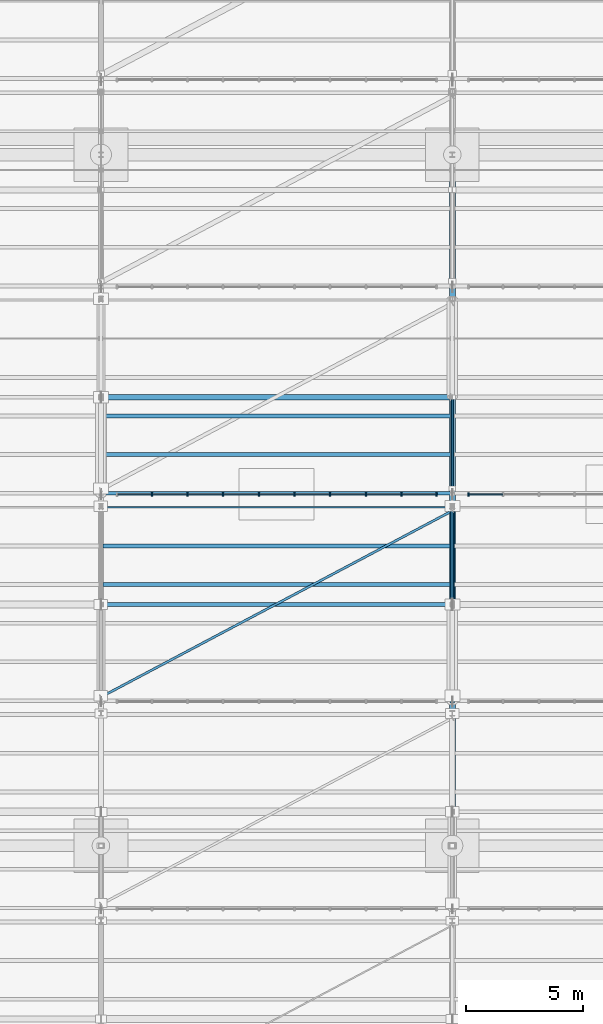
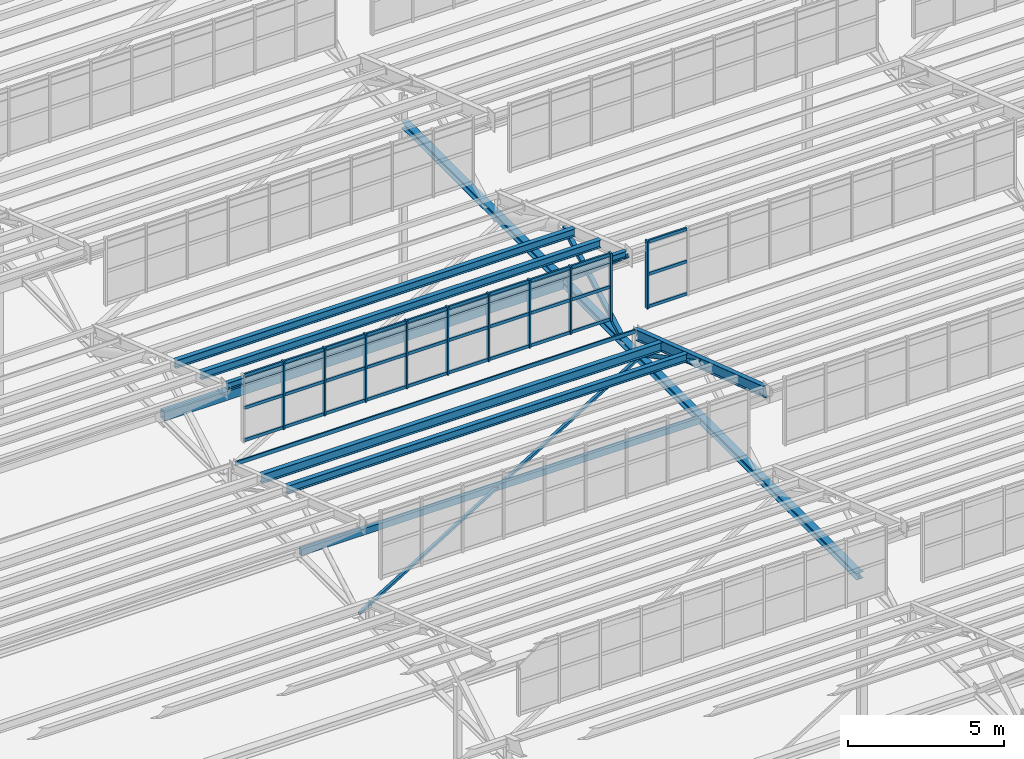
# One storey, part 63 of 285: 46 members, 8 beams, 2 elements without a shape of their own.
"""IFC4 building model written with IfcOpenShell, lengths in metres."""

from ifc_helpers import new_model, si_unit, direction, frame, origin, origin_2d, place, context, subcontext, project, spatial, rectangle, hollow_rectangle, hollow_circle, i_section, extrude, material, material_profile, profile_set, type_object, element, aggregate, save


model = new_model("IFC4")

# Units and contexts
model_context = context("Model", 3, precision=1e-05, world=origin(), true_north=direction((0.0, 1.0)))
body_context = subcontext(model_context, "Body", "Model", "MODEL_VIEW")
ifc_project = project(units=[si_unit("LENGTHUNIT", "METRE"), si_unit("AREAUNIT", "SQUARE_METRE"), si_unit("VOLUMEUNIT", "CUBIC_METRE"), si_unit("PLANEANGLEUNIT", "RADIAN"), si_unit("MASSUNIT", "GRAM", prefix="KILO")], contexts=[model_context])

# Site, building, storey
site_placement = place(None, origin())
site = spatial("IfcSite", under=ifc_project, at=site_placement, CompositionType="ELEMENT")
building_placement = place(site_placement, origin())
building = spatial("IfcBuilding", under=site, at=building_placement, Name="Solanera Park Tramway Depot", CompositionType="ELEMENT")
storey_placement = place(building_placement, origin())
storey = spatial("IfcBuildingStorey", under=building, at=storey_placement, Name="L00", CompositionType="ELEMENT", Elevation=0.0)

# Curtain wall, members
ifc_material_1 = material(Name="Bronze-anodised thermally broken aluminium curtain wall", Category="aluminium")
curtain_wall_type = type_object("IfcCurtainWallType", Name="Sawtooth Clerestory Monitor Curtain Wall", PredefinedType="NOTDEFINED", material=ifc_material_1)
curtain_wall_1_placement = place(storey_placement, origin())
curtain_wall_1 = element("IfcCurtainWall", 1, at=curtain_wall_1_placement, inside=storey, type_object=curtain_wall_type, Name="L00 Sawtooth Clerestory Monitor Curtain Wall #036", PredefinedType="NOTDEFINED")
ifc_material_2 = material(Name="Bronze-anodised structural aluminium 6063-T6", Category="aluminium")
ifc_material_profile_1 = material_profile(ifc_material_2, rectangle(XDim=0.06494140625, YDim=0.14990234375, at=origin_2d()), Name="Curtain Wall Mullion 65x150")
ifc_profile_set_1 = profile_set([ifc_material_profile_1], Name="Bronze-anodised structural aluminium 6063-T6")
member_type_1 = type_object("IfcMemberType", Name="Curtain Wall Mullion 65x150", PredefinedType="MULLION", material=ifc_profile_set_1)
member_1_placement = place(storey_placement, frame((17.172119140625, 100.0, 7.75), z_axis=(0.0, 0.0, 1.0), x_axis=(1.0, 0.0, 0.0)))
member_1 = element("IfcMember", 2, at=member_1_placement, type_object=member_type_1, Name="CW-L00-036 Mullion 2", PredefinedType="MULLION", context=body_context, shape_type="SweptSolid", body=[
    extrude(rectangle(XDim=0.06494140625, YDim=0.14990234375, at=origin_2d()), origin(), (0.0, 0.0, 1.0), 2.6611328125),
])
member_2_placement = place(storey_placement, frame((18.6943359375, 100.0, 7.75), z_axis=(0.0, 0.0, 1.0), x_axis=(1.0, 0.0, 0.0)))
member_2 = element("IfcMember", 3, at=member_2_placement, type_object=member_type_1, Name="CW-L00-036 Mullion 3", PredefinedType="MULLION", context=body_context, shape_type="SweptSolid", body=[
    extrude(rectangle(XDim=0.06494140625, YDim=0.14990234375, at=origin_2d()), origin(), (0.0, 0.0, 1.0), 2.6611328125),
])
member_3_placement = place(storey_placement, frame((20.216796875, 100.0, 7.75), z_axis=(0.0, 0.0, 1.0), x_axis=(1.0, 0.0, 0.0)))
member_3 = element("IfcMember", 4, at=member_3_placement, type_object=member_type_1, Name="CW-L00-036 Mullion 4", PredefinedType="MULLION", context=body_context, shape_type="SweptSolid", body=[
    extrude(rectangle(XDim=0.06494140625, YDim=0.14990234375, at=origin_2d()), origin(), (0.0, 0.0, 1.0), 2.6611328125),
])
member_4_placement = place(storey_placement, frame((21.739013671875, 100.0, 7.75), z_axis=(0.0, 0.0, 1.0), x_axis=(1.0, 0.0, 0.0)))
member_4 = element("IfcMember", 5, at=member_4_placement, type_object=member_type_1, Name="CW-L00-036 Mullion 5", PredefinedType="MULLION", context=body_context, shape_type="SweptSolid", body=[
    extrude(rectangle(XDim=0.06494140625, YDim=0.14990234375, at=origin_2d()), origin(), (0.0, 0.0, 1.0), 2.6611328125),
])
member_5_placement = place(storey_placement, frame((23.260986328125, 100.0, 7.75), z_axis=(0.0, 0.0, 1.0), x_axis=(1.0, 0.0, 0.0)))
member_5 = element("IfcMember", 6, at=member_5_placement, type_object=member_type_1, Name="CW-L00-036 Mullion 6", PredefinedType="MULLION", context=body_context, shape_type="SweptSolid", body=[
    extrude(rectangle(XDim=0.06494140625, YDim=0.14990234375, at=origin_2d()), origin(), (0.0, 0.0, 1.0), 2.6611328125),
])
member_6_placement = place(storey_placement, frame((24.783203125, 100.0, 7.75), z_axis=(0.0, 0.0, 1.0), x_axis=(1.0, 0.0, 0.0)))
member_6 = element("IfcMember", 7, at=member_6_placement, type_object=member_type_1, Name="CW-L00-036 Mullion 7", PredefinedType="MULLION", context=body_context, shape_type="SweptSolid", body=[
    extrude(rectangle(XDim=0.06494140625, YDim=0.14990234375, at=origin_2d()), origin(), (0.0, 0.0, 1.0), 2.6611328125),
])
member_7_placement = place(storey_placement, frame((26.3056640625, 100.0, 7.75), z_axis=(0.0, 0.0, 1.0), x_axis=(1.0, 0.0, 0.0)))
member_7 = element("IfcMember", 8, at=member_7_placement, type_object=member_type_1, Name="CW-L00-036 Mullion 8", PredefinedType="MULLION", context=body_context, shape_type="SweptSolid", body=[
    extrude(rectangle(XDim=0.06494140625, YDim=0.14990234375, at=origin_2d()), origin(), (0.0, 0.0, 1.0), 2.6611328125),
])
member_8_placement = place(storey_placement, frame((27.827880859375, 100.0, 7.75), z_axis=(0.0, 0.0, 1.0), x_axis=(1.0, 0.0, 0.0)))
member_8 = element("IfcMember", 9, at=member_8_placement, type_object=member_type_1, Name="CW-L00-036 Mullion 9", PredefinedType="MULLION", context=body_context, shape_type="SweptSolid", body=[
    extrude(rectangle(XDim=0.06494140625, YDim=0.14990234375, at=origin_2d()), origin(), (0.0, 0.0, 1.0), 2.6611328125),
])
member_9_placement = place(storey_placement, frame((29.3173828125, 100.0, 7.75), z_axis=(0.0, 0.0, 1.0), x_axis=(1.0, 0.0, 0.0)))
member_9 = element("IfcMember", 10, at=member_9_placement, type_object=member_type_1, Name="CW-L00-036 Mullion 10", PredefinedType="MULLION", context=body_context, shape_type="SweptSolid", body=[
    extrude(rectangle(XDim=0.06494140625, YDim=0.14990234375, at=origin_2d()), origin(), (0.0, 0.0, 1.0), 2.6611328125),
])

# Curtain wall, member
curtain_wall_2_placement = place(storey_placement, origin())
curtain_wall_2 = element("IfcCurtainWall", 11, at=curtain_wall_2_placement, inside=storey, type_object=curtain_wall_type, Name="L00 Sawtooth Clerestory Monitor Curtain Wall #037", PredefinedType="NOTDEFINED")
member_10_placement = place(storey_placement, frame((30.6826171875, 100.0, 7.75), z_axis=(0.0, 0.0, 1.0), x_axis=(1.0, 0.0, 0.0)))
member_10 = element("IfcMember", 12, at=member_10_placement, type_object=member_type_1, Name="CW-L00-037 Mullion 1", PredefinedType="MULLION", context=body_context, shape_type="SweptSolid", body=[
    extrude(rectangle(XDim=0.06494140625, YDim=0.14990234375, at=origin_2d()), origin(), (0.0, 0.0, 1.0), 2.6611328125),
])

# Member
ifc_material_3 = material(Name="Bronze-anodised structural aluminium 6063-T6", Category="aluminium")
ifc_material_profile_2 = material_profile(ifc_material_3, rectangle(XDim=0.06494140625, YDim=0.1201171875, at=origin_2d()), Name="Curtain Wall Transom 65x120")
ifc_profile_set_2 = profile_set([ifc_material_profile_2], Name="Bronze-anodised structural aluminium 6063-T6")
member_type_2 = type_object("IfcMemberType", Name="Curtain Wall Transom 65x120", PredefinedType="USERDEFINED", material=ifc_profile_set_2)
member_11_placement = place(storey_placement, frame((15.71044921875, 100.0, 7.81005859375), z_axis=(1.0, 0.0, 0.0), x_axis=(0.0, 1.0, 0.0)))
member_11 = element("IfcMember", 13, at=member_11_placement, type_object=member_type_2, Name="CW-L00-036 Transom R1.C1", ObjectType="TRANSOM", PredefinedType="USERDEFINED", context=body_context, shape_type="SweptSolid", body=[
    extrude(rectangle(XDim=0.06494140625, YDim=0.1201171875, at=origin_2d()), origin(), (0.0, 0.0, 1.0), 1.433837890625),
])

member_12_placement = place(storey_placement, frame((17.2001953125, 100.0, 7.81005859375), z_axis=(1.0, 0.0, 0.0), x_axis=(0.0, 1.0, 0.0)))
member_12 = element("IfcMember", 14, at=member_12_placement, type_object=member_type_2, Name="CW-L00-036 Transom R1.C2", ObjectType="TRANSOM", PredefinedType="USERDEFINED", context=body_context, shape_type="SweptSolid", body=[
    extrude(rectangle(XDim=0.06494140625, YDim=0.1201171875, at=origin_2d()), origin(), (0.0, 0.0, 1.0), 1.46630859375),
])

member_13_placement = place(storey_placement, frame((18.722412109375, 100.0, 7.81005859375), z_axis=(1.0, 0.0, 0.0), x_axis=(0.0, 1.0, 0.0)))
member_13 = element("IfcMember", 15, at=member_13_placement, type_object=member_type_2, Name="CW-L00-036 Transom R1.C3", ObjectType="TRANSOM", PredefinedType="USERDEFINED", context=body_context, shape_type="SweptSolid", body=[
    extrude(rectangle(XDim=0.06494140625, YDim=0.1201171875, at=origin_2d()), origin(), (0.0, 0.0, 1.0), 1.46630859375),
])

member_14_placement = place(storey_placement, frame((20.24462890625, 100.0, 7.81005859375), z_axis=(1.0, 0.0, 0.0), x_axis=(0.0, 1.0, 0.0)))
member_14 = element("IfcMember", 16, at=member_14_placement, type_object=member_type_2, Name="CW-L00-036 Transom R1.C4", ObjectType="TRANSOM", PredefinedType="USERDEFINED", context=body_context, shape_type="SweptSolid", body=[
    extrude(rectangle(XDim=0.06494140625, YDim=0.1201171875, at=origin_2d()), origin(), (0.0, 0.0, 1.0), 1.46630859375),
])

member_15_placement = place(storey_placement, frame((21.766845703125, 100.0, 7.81005859375), z_axis=(1.0, 0.0, 0.0), x_axis=(0.0, 1.0, 0.0)))
member_15 = element("IfcMember", 17, at=member_15_placement, type_object=member_type_2, Name="CW-L00-036 Transom R1.C5", ObjectType="TRANSOM", PredefinedType="USERDEFINED", context=body_context, shape_type="SweptSolid", body=[
    extrude(rectangle(XDim=0.06494140625, YDim=0.1201171875, at=origin_2d()), origin(), (0.0, 0.0, 1.0), 1.46630859375),
])

member_16_placement = place(storey_placement, frame((23.2890625, 100.0, 7.81005859375), z_axis=(1.0, 0.0, 0.0), x_axis=(0.0, 1.0, 0.0)))
member_16 = element("IfcMember", 18, at=member_16_placement, type_object=member_type_2, Name="CW-L00-036 Transom R1.C6", ObjectType="TRANSOM", PredefinedType="USERDEFINED", context=body_context, shape_type="SweptSolid", body=[
    extrude(rectangle(XDim=0.06494140625, YDim=0.1201171875, at=origin_2d()), origin(), (0.0, 0.0, 1.0), 1.46630859375),
])

member_17_placement = place(storey_placement, frame((24.811279296875, 100.0, 7.81005859375), z_axis=(1.0, 0.0, 0.0), x_axis=(0.0, 1.0, 0.0)))
member_17 = element("IfcMember", 19, at=member_17_placement, type_object=member_type_2, Name="CW-L00-036 Transom R1.C7", ObjectType="TRANSOM", PredefinedType="USERDEFINED", context=body_context, shape_type="SweptSolid", body=[
    extrude(rectangle(XDim=0.06494140625, YDim=0.1201171875, at=origin_2d()), origin(), (0.0, 0.0, 1.0), 1.46630859375),
])

member_18_placement = place(storey_placement, frame((26.33349609375, 100.0, 7.81005859375), z_axis=(1.0, 0.0, 0.0), x_axis=(0.0, 1.0, 0.0)))
member_18 = element("IfcMember", 20, at=member_18_placement, type_object=member_type_2, Name="CW-L00-036 Transom R1.C8", ObjectType="TRANSOM", PredefinedType="USERDEFINED", context=body_context, shape_type="SweptSolid", body=[
    extrude(rectangle(XDim=0.06494140625, YDim=0.1201171875, at=origin_2d()), origin(), (0.0, 0.0, 1.0), 1.46630859375),
])

member_19_placement = place(storey_placement, frame((27.855712890625, 100.0, 7.81005859375), z_axis=(1.0, 0.0, 0.0), x_axis=(0.0, 1.0, 0.0)))
member_19 = element("IfcMember", 21, at=member_19_placement, type_object=member_type_2, Name="CW-L00-036 Transom R1.C9", ObjectType="TRANSOM", PredefinedType="USERDEFINED", context=body_context, shape_type="SweptSolid", body=[
    extrude(rectangle(XDim=0.06494140625, YDim=0.1201171875, at=origin_2d()), origin(), (0.0, 0.0, 1.0), 1.433837890625),
])

member_20_placement = place(storey_placement, frame((15.71044921875, 100.0, 9.08056640625), z_axis=(1.0, 0.0, 0.0), x_axis=(0.0, 1.0, 0.0)))
member_20 = element("IfcMember", 22, at=member_20_placement, type_object=member_type_2, Name="CW-L00-036 Transom R2.C1", ObjectType="TRANSOM", PredefinedType="USERDEFINED", context=body_context, shape_type="SweptSolid", body=[
    extrude(rectangle(XDim=0.06494140625, YDim=0.1201171875, at=origin_2d()), origin(), (0.0, 0.0, 1.0), 1.433837890625),
])

member_21_placement = place(storey_placement, frame((17.2001953125, 100.0, 9.08056640625), z_axis=(1.0, 0.0, 0.0), x_axis=(0.0, 1.0, 0.0)))
member_21 = element("IfcMember", 23, at=member_21_placement, type_object=member_type_2, Name="CW-L00-036 Transom R2.C2", ObjectType="TRANSOM", PredefinedType="USERDEFINED", context=body_context, shape_type="SweptSolid", body=[
    extrude(rectangle(XDim=0.06494140625, YDim=0.1201171875, at=origin_2d()), origin(), (0.0, 0.0, 1.0), 1.46630859375),
])

member_22_placement = place(storey_placement, frame((18.722412109375, 100.0, 9.08056640625), z_axis=(1.0, 0.0, 0.0), x_axis=(0.0, 1.0, 0.0)))
member_22 = element("IfcMember", 24, at=member_22_placement, type_object=member_type_2, Name="CW-L00-036 Transom R2.C3", ObjectType="TRANSOM", PredefinedType="USERDEFINED", context=body_context, shape_type="SweptSolid", body=[
    extrude(rectangle(XDim=0.06494140625, YDim=0.1201171875, at=origin_2d()), origin(), (0.0, 0.0, 1.0), 1.46630859375),
])

member_23_placement = place(storey_placement, frame((20.24462890625, 100.0, 9.08056640625), z_axis=(1.0, 0.0, 0.0), x_axis=(0.0, 1.0, 0.0)))
member_23 = element("IfcMember", 25, at=member_23_placement, type_object=member_type_2, Name="CW-L00-036 Transom R2.C4", ObjectType="TRANSOM", PredefinedType="USERDEFINED", context=body_context, shape_type="SweptSolid", body=[
    extrude(rectangle(XDim=0.06494140625, YDim=0.1201171875, at=origin_2d()), origin(), (0.0, 0.0, 1.0), 1.46630859375),
])

member_24_placement = place(storey_placement, frame((21.766845703125, 100.0, 9.08056640625), z_axis=(1.0, 0.0, 0.0), x_axis=(0.0, 1.0, 0.0)))
member_24 = element("IfcMember", 26, at=member_24_placement, type_object=member_type_2, Name="CW-L00-036 Transom R2.C5", ObjectType="TRANSOM", PredefinedType="USERDEFINED", context=body_context, shape_type="SweptSolid", body=[
    extrude(rectangle(XDim=0.06494140625, YDim=0.1201171875, at=origin_2d()), origin(), (0.0, 0.0, 1.0), 1.46630859375),
])

member_25_placement = place(storey_placement, frame((23.2890625, 100.0, 9.08056640625), z_axis=(1.0, 0.0, 0.0), x_axis=(0.0, 1.0, 0.0)))
member_25 = element("IfcMember", 27, at=member_25_placement, type_object=member_type_2, Name="CW-L00-036 Transom R2.C6", ObjectType="TRANSOM", PredefinedType="USERDEFINED", context=body_context, shape_type="SweptSolid", body=[
    extrude(rectangle(XDim=0.06494140625, YDim=0.1201171875, at=origin_2d()), origin(), (0.0, 0.0, 1.0), 1.46630859375),
])

member_26_placement = place(storey_placement, frame((24.811279296875, 100.0, 9.08056640625), z_axis=(1.0, 0.0, 0.0), x_axis=(0.0, 1.0, 0.0)))
member_26 = element("IfcMember", 28, at=member_26_placement, type_object=member_type_2, Name="CW-L00-036 Transom R2.C7", ObjectType="TRANSOM", PredefinedType="USERDEFINED", context=body_context, shape_type="SweptSolid", body=[
    extrude(rectangle(XDim=0.06494140625, YDim=0.1201171875, at=origin_2d()), origin(), (0.0, 0.0, 1.0), 1.46630859375),
])

member_27_placement = place(storey_placement, frame((26.33349609375, 100.0, 9.08056640625), z_axis=(1.0, 0.0, 0.0), x_axis=(0.0, 1.0, 0.0)))
member_27 = element("IfcMember", 29, at=member_27_placement, type_object=member_type_2, Name="CW-L00-036 Transom R2.C8", ObjectType="TRANSOM", PredefinedType="USERDEFINED", context=body_context, shape_type="SweptSolid", body=[
    extrude(rectangle(XDim=0.06494140625, YDim=0.1201171875, at=origin_2d()), origin(), (0.0, 0.0, 1.0), 1.46630859375),
])

member_28_placement = place(storey_placement, frame((27.855712890625, 100.0, 9.08056640625), z_axis=(1.0, 0.0, 0.0), x_axis=(0.0, 1.0, 0.0)))
member_28 = element("IfcMember", 30, at=member_28_placement, type_object=member_type_2, Name="CW-L00-036 Transom R2.C9", ObjectType="TRANSOM", PredefinedType="USERDEFINED", context=body_context, shape_type="SweptSolid", body=[
    extrude(rectangle(XDim=0.06494140625, YDim=0.1201171875, at=origin_2d()), origin(), (0.0, 0.0, 1.0), 1.433837890625),
])

member_29_placement = place(storey_placement, frame((15.71044921875, 100.0, 10.351318359375), z_axis=(1.0, 0.0, 0.0), x_axis=(0.0, 1.0, 0.0)))
member_29 = element("IfcMember", 31, at=member_29_placement, type_object=member_type_2, Name="CW-L00-036 Transom R3.C1", ObjectType="TRANSOM", PredefinedType="USERDEFINED", context=body_context, shape_type="SweptSolid", body=[
    extrude(rectangle(XDim=0.06494140625, YDim=0.1201171875, at=origin_2d()), origin(), (0.0, 0.0, 1.0), 1.433837890625),
])

member_30_placement = place(storey_placement, frame((17.2001953125, 100.0, 10.351318359375), z_axis=(1.0, 0.0, 0.0), x_axis=(0.0, 1.0, 0.0)))
member_30 = element("IfcMember", 32, at=member_30_placement, type_object=member_type_2, Name="CW-L00-036 Transom R3.C2", ObjectType="TRANSOM", PredefinedType="USERDEFINED", context=body_context, shape_type="SweptSolid", body=[
    extrude(rectangle(XDim=0.06494140625, YDim=0.1201171875, at=origin_2d()), origin(), (0.0, 0.0, 1.0), 1.46630859375),
])

member_31_placement = place(storey_placement, frame((18.722412109375, 100.0, 10.351318359375), z_axis=(1.0, 0.0, 0.0), x_axis=(0.0, 1.0, 0.0)))
member_31 = element("IfcMember", 33, at=member_31_placement, type_object=member_type_2, Name="CW-L00-036 Transom R3.C3", ObjectType="TRANSOM", PredefinedType="USERDEFINED", context=body_context, shape_type="SweptSolid", body=[
    extrude(rectangle(XDim=0.06494140625, YDim=0.1201171875, at=origin_2d()), origin(), (0.0, 0.0, 1.0), 1.46630859375),
])

member_32_placement = place(storey_placement, frame((20.24462890625, 100.0, 10.351318359375), z_axis=(1.0, 0.0, 0.0), x_axis=(0.0, 1.0, 0.0)))
member_32 = element("IfcMember", 34, at=member_32_placement, type_object=member_type_2, Name="CW-L00-036 Transom R3.C4", ObjectType="TRANSOM", PredefinedType="USERDEFINED", context=body_context, shape_type="SweptSolid", body=[
    extrude(rectangle(XDim=0.06494140625, YDim=0.1201171875, at=origin_2d()), origin(), (0.0, 0.0, 1.0), 1.46630859375),
])

member_33_placement = place(storey_placement, frame((21.766845703125, 100.0, 10.351318359375), z_axis=(1.0, 0.0, 0.0), x_axis=(0.0, 1.0, 0.0)))
member_33 = element("IfcMember", 35, at=member_33_placement, type_object=member_type_2, Name="CW-L00-036 Transom R3.C5", ObjectType="TRANSOM", PredefinedType="USERDEFINED", context=body_context, shape_type="SweptSolid", body=[
    extrude(rectangle(XDim=0.06494140625, YDim=0.1201171875, at=origin_2d()), origin(), (0.0, 0.0, 1.0), 1.46630859375),
])

member_34_placement = place(storey_placement, frame((23.2890625, 100.0, 10.351318359375), z_axis=(1.0, 0.0, 0.0), x_axis=(0.0, 1.0, 0.0)))
member_34 = element("IfcMember", 36, at=member_34_placement, type_object=member_type_2, Name="CW-L00-036 Transom R3.C6", ObjectType="TRANSOM", PredefinedType="USERDEFINED", context=body_context, shape_type="SweptSolid", body=[
    extrude(rectangle(XDim=0.06494140625, YDim=0.1201171875, at=origin_2d()), origin(), (0.0, 0.0, 1.0), 1.46630859375),
])

member_35_placement = place(storey_placement, frame((24.811279296875, 100.0, 10.351318359375), z_axis=(1.0, 0.0, 0.0), x_axis=(0.0, 1.0, 0.0)))
member_35 = element("IfcMember", 37, at=member_35_placement, type_object=member_type_2, Name="CW-L00-036 Transom R3.C7", ObjectType="TRANSOM", PredefinedType="USERDEFINED", context=body_context, shape_type="SweptSolid", body=[
    extrude(rectangle(XDim=0.06494140625, YDim=0.1201171875, at=origin_2d()), origin(), (0.0, 0.0, 1.0), 1.46630859375),
])

member_36_placement = place(storey_placement, frame((26.33349609375, 100.0, 10.351318359375), z_axis=(1.0, 0.0, 0.0), x_axis=(0.0, 1.0, 0.0)))
member_36 = element("IfcMember", 38, at=member_36_placement, type_object=member_type_2, Name="CW-L00-036 Transom R3.C8", ObjectType="TRANSOM", PredefinedType="USERDEFINED", context=body_context, shape_type="SweptSolid", body=[
    extrude(rectangle(XDim=0.06494140625, YDim=0.1201171875, at=origin_2d()), origin(), (0.0, 0.0, 1.0), 1.46630859375),
])

member_37_placement = place(storey_placement, frame((27.855712890625, 100.0, 10.351318359375), z_axis=(1.0, 0.0, 0.0), x_axis=(0.0, 1.0, 0.0)))
member_37 = element("IfcMember", 39, at=member_37_placement, type_object=member_type_2, Name="CW-L00-036 Transom R3.C9", ObjectType="TRANSOM", PredefinedType="USERDEFINED", context=body_context, shape_type="SweptSolid", body=[
    extrude(rectangle(XDim=0.06494140625, YDim=0.1201171875, at=origin_2d()), origin(), (0.0, 0.0, 1.0), 1.433837890625),
])

aggregate(curtain_wall_1, [member_1, member_2, member_3, member_4, member_5, member_6, member_7, member_8, member_9, member_11, member_12, member_13, member_14, member_15, member_16, member_17, member_18, member_19, member_20, member_21, member_22, member_23, member_24, member_25, member_26, member_27, member_28, member_29, member_30, member_31, member_32, member_33, member_34, member_35, member_36, member_37])

member_38_placement = place(storey_placement, frame((30.71044921875, 100.0, 7.81005859375), z_axis=(1.0, 0.0, 0.0), x_axis=(0.0, 1.0, 0.0)))
member_38 = element("IfcMember", 40, at=member_38_placement, type_object=member_type_2, Name="CW-L00-037 Transom R1.C1", ObjectType="TRANSOM", PredefinedType="USERDEFINED", context=body_context, shape_type="SweptSolid", body=[
    extrude(rectangle(XDim=0.06494140625, YDim=0.1201171875, at=origin_2d()), origin(), (0.0, 0.0, 1.0), 1.433837890625),
])

member_39_placement = place(storey_placement, frame((30.71044921875, 100.0, 9.08056640625), z_axis=(1.0, 0.0, 0.0), x_axis=(0.0, 1.0, 0.0)))
member_39 = element("IfcMember", 41, at=member_39_placement, type_object=member_type_2, Name="CW-L00-037 Transom R2.C1", ObjectType="TRANSOM", PredefinedType="USERDEFINED", context=body_context, shape_type="SweptSolid", body=[
    extrude(rectangle(XDim=0.06494140625, YDim=0.1201171875, at=origin_2d()), origin(), (0.0, 0.0, 1.0), 1.433837890625),
])

member_40_placement = place(storey_placement, frame((30.71044921875, 100.0, 10.351318359375), z_axis=(1.0, 0.0, 0.0), x_axis=(0.0, 1.0, 0.0)))
member_40 = element("IfcMember", 42, at=member_40_placement, type_object=member_type_2, Name="CW-L00-037 Transom R3.C1", ObjectType="TRANSOM", PredefinedType="USERDEFINED", context=body_context, shape_type="SweptSolid", body=[
    extrude(rectangle(XDim=0.06494140625, YDim=0.1201171875, at=origin_2d()), origin(), (0.0, 0.0, 1.0), 1.433837890625),
])

aggregate(curtain_wall_2, [member_10, member_38, member_39, member_40])

# Members
ifc_material_4 = material(Name="Steel AS/NZS 1163 Grade C350L0", Category="steel")
ifc_material_profile_3 = material_profile(ifc_material_4, hollow_rectangle(XDim=0.14990234375, YDim=0.14990234375, WallThickness=0.006103515625, at=origin_2d()), Name="150x150x6.0 SHS")
ifc_profile_set_3 = profile_set([ifc_material_profile_3], Name="Steel AS/NZS 1163 Grade C350L0")
member_type_3 = type_object("IfcMemberType", Name="Roof Gantry Compression Strut 150x150x6.0 SHS", PredefinedType="STRUT", material=ifc_profile_set_3)
member_41_placement = place(storey_placement, frame((30.0, 100.25, 6.5), z_axis=(0.0, 0.874074669389, 0.485791593517), x_axis=(-1.0, 0.0, 0.0)))
element("IfcMember", 43, at=member_41_placement, inside=storey, type_object=member_type_3, Name="Sawtooth ROOF TRUSS Strut 150x150x6.0 SHS #0234", PredefinedType="STRUT", context=body_context, shape_type="SweptSolid", body=[
    extrude(hollow_rectangle(XDim=0.14990234375, YDim=0.14990234375, WallThickness=0.006103515625, at=origin_2d()), origin(), (0.0, 0.0, 1.0), 4.461669921875),
])
ifc_material_5 = material(Name="Steel AS/NZS 1163 Grade C350L0", Category="steel")
ifc_material_profile_4 = material_profile(ifc_material_5, hollow_rectangle(XDim=0.14990234375, YDim=0.25, WallThickness=0.008056640625, at=origin_2d()), Name="250x150x8.0 RHS")
ifc_profile_set_4 = profile_set([ifc_material_profile_4], Name="Steel AS/NZS 1163 Grade C350L0")
member_type_4 = type_object("IfcMemberType", Name="Secondary Truss Chord 250x150x8.0 RHS", PredefinedType="CHORD", material=ifc_profile_set_4)
member_42_placement = place(storey_placement, frame((15.087890625, 95.300048828125, 6.5), z_axis=(1.0, 0.0, 0.0), x_axis=(0.0, 1.0, 0.0)))
element("IfcMember", 44, at=member_42_placement, inside=storey, type_object=member_type_4, Name="Sawtooth Longitudinal Tie Chord 250x150x8.0 RHS #0213", PredefinedType="CHORD", context=body_context, shape_type="SweptSolid", body=[
    extrude(hollow_rectangle(XDim=0.14990234375, YDim=0.25, WallThickness=0.008056640625, at=origin_2d()), origin(), (0.0, 0.0, 1.0), 14.82421875),
])
ifc_material_6 = material(Name="Steel AS/NZS 1163 Grade C350L0", Category="steel")
ifc_material_profile_5 = material_profile(ifc_material_6, hollow_rectangle(XDim=0.25, YDim=0.35009765625, WallThickness=0.010009765625, at=origin_2d()), Name="350x250x10.0 RHS")
ifc_profile_set_5 = profile_set([ifc_material_profile_5], Name="Steel AS/NZS 1163 Grade C350L0")
member_type_5 = type_object("IfcMemberType", Name="Secondary Truss Chord 350x250x10.0 RHS", PredefinedType="CHORD", material=ifc_profile_set_5)
member_43_placement = place(storey_placement, frame((15.087890625, 104.14990234375, 6.5), z_axis=(1.0, 0.0, 0.0), x_axis=(0.0, 1.0, 0.0)))
element("IfcMember", 45, at=member_43_placement, inside=storey, type_object=member_type_5, Name="Sawtooth Longitudinal Tie Chord 350x250x10.0 RHS #0260", PredefinedType="CHORD", context=body_context, shape_type="SweptSolid", body=[
    extrude(hollow_rectangle(XDim=0.25, YDim=0.35009765625, WallThickness=0.010009765625, at=origin_2d()), origin(), (0.0, 0.0, 1.0), 14.82421875),
])

# Beams
ifc_material_7 = material(Name="Steel AS/NZS 3679.1 Grade 350", Category="steel")
ifc_material_profile_6 = material_profile(ifc_material_7, i_section(OverallWidth=0.25390625, OverallDepth=0.25390625, WebThickness=0.008544921875, FlangeThickness=0.01416015625, at=origin_2d()), Name="250UC72.9")
ifc_profile_set_6 = profile_set([ifc_material_profile_6], Name="Steel AS/NZS 3679.1 Grade 350")
beam_type_1 = type_object("IfcBeamType", Name="Steel Beam 250UC72.9", PredefinedType="BEAM", material=ifc_profile_set_6)
beam_1_placement = place(storey_placement, frame((30.0, 85.125, 6.5), z_axis=(0.0, 1.0, 0.0), x_axis=(-1.0, 0.0, 0.0)))
element("IfcBeam", 46, at=beam_1_placement, inside=storey, type_object=beam_type_1, Name="Sawtooth ROOF TRUSS Bottom Chord 250UC72.9 #0374", PredefinedType="BEAM", context=body_context, shape_type="SweptSolid", body=[
    extrude(i_section(OverallWidth=0.25390625, OverallDepth=0.25390625, WebThickness=0.008544921875, FlangeThickness=0.01416015625, at=origin_2d()), origin(), (0.0, 0.0, 1.0), 29.2724609375),
])
ifc_material_8 = material(Name="Steel AS/NZS 3679.1 Grade 350", Category="steel")
ifc_material_profile_7 = material_profile(ifc_material_8, i_section(OverallWidth=0.177734375, OverallDepth=0.406494140625, WebThickness=0.0078125, FlangeThickness=0.0126953125, at=origin_2d()), Name="410UB59.7")
ifc_profile_set_7 = profile_set([ifc_material_profile_7], Name="Steel AS/NZS 3679.1 Grade 350")
beam_type_2 = type_object("IfcBeamType", Name="Steel Beam 410UB59.7", PredefinedType="BEAM", material=ifc_profile_set_7)
beam_2_placement = place(storey_placement, frame((30.0, 91.14990234375, 10.08154296875), z_axis=(0.0, 0.948322229475, -0.317308917435), x_axis=(-1.0, 0.0, 0.0)))
element("IfcBeam", 47, at=beam_2_placement, inside=storey, type_object=beam_type_2, Name="Sawtooth ROOF TRUSS Top Rafter 410UB59.7 B05-T3", PredefinedType="BEAM", context=body_context, shape_type="SweptSolid", body=[
    extrude(i_section(OverallWidth=0.177734375, OverallDepth=0.406494140625, WebThickness=0.0078125, FlangeThickness=0.0126953125, at=origin_2d()), origin(), (0.0, 0.0, 1.0), 8.80517578125),
])
ifc_material_9 = material(Name="Steel AS/NZS 1163 Grade C350L0", Category="steel")
ifc_material_profile_8 = material_profile(ifc_material_9, hollow_rectangle(XDim=0.050048828125, YDim=0.14990234375, WallThickness=0.0048828125, at=origin_2d()), Name="150x50x5.0 RHS")
ifc_profile_set_8 = profile_set([ifc_material_profile_8], Name="Steel AS/NZS 1163 Grade C350L0")
beam_type_3 = type_object("IfcBeamType", Name="Steel Joist Purlin 150x50x5.0 RHS", PredefinedType="JOIST", material=ifc_profile_set_8)
beam_3_placement = place(storey_placement, frame((15.077880859375, 99.449951171875, 7.4462890625), z_axis=(1.0, 0.0, 0.0), x_axis=(0.0, 1.0, 0.0)))
element("IfcBeam", 48, at=beam_3_placement, inside=storey, type_object=beam_type_3, Name="Sawtooth Roof Purlin 150x50x5.0 RHS B05.6", PredefinedType="JOIST", context=body_context, shape_type="SweptSolid", body=[
    extrude(hollow_rectangle(XDim=0.050048828125, YDim=0.14990234375, WallThickness=0.0048828125, at=origin_2d()), origin(), (0.0, 0.0, 1.0), 14.84130859375),
])
ifc_material_10 = material(Name="Steel AS/NZS 3679.1 Grade 350", Category="steel")
ifc_material_profile_9 = material_profile(ifc_material_10, i_section(OverallWidth=0.146484375, OverallDepth=0.256103515625, WebThickness=0.00634765625, FlangeThickness=0.010986328125, at=origin_2d()), Name="250UB37.3")
ifc_profile_set_9 = profile_set([ifc_material_profile_9], Name="Steel AS/NZS 3679.1 Grade 350")
beam_type_4 = type_object("IfcBeamType", Name="Steel Joist Purlin 250UB37.3", PredefinedType="JOIST", material=ifc_profile_set_9)
beam_4_placement = place(storey_placement, frame((15.080810546875, 100.050048828125, 10.137451171875), z_axis=(1.0, 0.0, 0.0), x_axis=(0.0, 1.0, 0.0)))
element("IfcBeam", 49, at=beam_4_placement, inside=storey, type_object=beam_type_4, Name="Sawtooth Roof Purlin 250UB37.3 B06.1", PredefinedType="JOIST", context=body_context, shape_type="SweptSolid", body=[
    extrude(i_section(OverallWidth=0.146484375, OverallDepth=0.256103515625, WebThickness=0.00634765625, FlangeThickness=0.010986328125, at=origin_2d()), origin(), (0.0, 0.0, 1.0), 14.83203125),
])
ifc_material_11 = material(Name="Steel AS/NZS 3679.1 Grade 350", Category="steel")
ifc_material_profile_10 = material_profile(ifc_material_11, i_section(OverallWidth=0.1650390625, OverallDepth=0.3037109375, WebThickness=0.006103515625, FlangeThickness=0.01025390625, at=origin_2d()), Name="310UB40.4")
ifc_profile_set_10 = profile_set([ifc_material_profile_10], Name="Steel AS/NZS 3679.1 Grade 350")
beam_type_5 = type_object("IfcBeamType", Name="Steel Joist Purlin 310UB40.4", PredefinedType="JOIST", material=ifc_profile_set_10)
beam_5_placement = place(storey_placement, frame((15.080810546875, 101.699951171875, 9.55859375), z_axis=(1.0, 0.0, 0.0), x_axis=(0.0, 1.0, 0.0)))
element("IfcBeam", 50, at=beam_5_placement, inside=storey, type_object=beam_type_5, Name="Sawtooth Roof Purlin 310UB40.4 B06.2", PredefinedType="JOIST", context=body_context, shape_type="SweptSolid", body=[
    extrude(i_section(OverallWidth=0.1650390625, OverallDepth=0.3037109375, WebThickness=0.006103515625, FlangeThickness=0.01025390625, at=origin_2d()), origin(), (0.0, 0.0, 1.0), 14.83203125),
])
ifc_material_12 = material(Name="Steel AS/NZS 3679.1 Grade 350", Category="steel")
ifc_material_profile_11 = material_profile(ifc_material_12, i_section(OverallWidth=0.166015625, OverallDepth=0.30712890625, WebThickness=0.006591796875, FlangeThickness=0.01171875, at=origin_2d()), Name="310UB46.2")
ifc_profile_set_11 = profile_set([ifc_material_profile_11], Name="Steel AS/NZS 3679.1 Grade 350")
beam_type_6 = type_object("IfcBeamType", Name="Steel Joist Purlin 310UB46.2", PredefinedType="JOIST", material=ifc_profile_set_11)
beam_6_placement = place(storey_placement, frame((15.077880859375, 96.14990234375, 8.452392578125), z_axis=(1.0, 0.0, 0.0), x_axis=(0.0, 1.0, 0.0)))
element("IfcBeam", 51, at=beam_6_placement, inside=storey, type_object=beam_type_6, Name="Sawtooth Roof Purlin 310UB46.2 B05.4", PredefinedType="JOIST", context=body_context, shape_type="SweptSolid", body=[
    extrude(i_section(OverallWidth=0.166015625, OverallDepth=0.30712890625, WebThickness=0.006591796875, FlangeThickness=0.01171875, at=origin_2d()), origin(), (0.0, 0.0, 1.0), 14.84130859375),
])
beam_7_placement = place(storey_placement, frame((15.080810546875, 103.35009765625, 9.004638671875), z_axis=(1.0, 0.0, 0.0), x_axis=(0.0, 1.0, 0.0)))
element("IfcBeam", 52, at=beam_7_placement, inside=storey, type_object=beam_type_6, Name="Sawtooth Roof Purlin 310UB46.2 B06.3", PredefinedType="JOIST", context=body_context, shape_type="SweptSolid", body=[
    extrude(i_section(OverallWidth=0.166015625, OverallDepth=0.30712890625, WebThickness=0.006591796875, FlangeThickness=0.01171875, at=origin_2d()), origin(), (0.0, 0.0, 1.0), 14.83203125),
])
ifc_material_13 = material(Name="Steel AS/NZS 3679.1 Grade 350", Category="steel")
ifc_material_profile_12 = material_profile(ifc_material_13, i_section(OverallWidth=0.17138671875, OverallDepth=0.355712890625, WebThickness=0.00732421875, FlangeThickness=0.011474609375, at=origin_2d()), Name="360UB50.7")
ifc_profile_set_12 = profile_set([ifc_material_profile_12], Name="Steel AS/NZS 3679.1 Grade 350")
beam_type_7 = type_object("IfcBeamType", Name="Steel Joist Purlin 360UB50.7", PredefinedType="JOIST", material=ifc_profile_set_12)
beam_8_placement = place(storey_placement, frame((15.077880859375, 97.800048828125, 7.875244140625), z_axis=(1.0, 0.0, 0.0), x_axis=(0.0, 1.0, 0.0)))
element("IfcBeam", 53, at=beam_8_placement, inside=storey, type_object=beam_type_7, Name="Sawtooth Roof Purlin 360UB50.7 B05.5", PredefinedType="JOIST", context=body_context, shape_type="SweptSolid", body=[
    extrude(i_section(OverallWidth=0.17138671875, OverallDepth=0.355712890625, WebThickness=0.00732421875, FlangeThickness=0.011474609375, at=origin_2d()), origin(), (0.0, 0.0, 1.0), 14.84130859375),
])

# Members
ifc_material_14 = material(Name="Steel AS/NZS 1163 Grade C350L0", Category="steel")
ifc_material_profile_13 = material_profile(ifc_material_14, hollow_rectangle(XDim=0.10009765625, YDim=0.10009765625, WallThickness=0.0048828125, at=origin_2d()), Name="100x100x5.0 SHS")
ifc_profile_set_13 = profile_set([ifc_material_profile_13], Name="Steel AS/NZS 1163 Grade C350L0")
member_type_6 = type_object("IfcMemberType", Name="Truss and Frame Brace 100x100x5.0 SHS", PredefinedType="BRACE", material=ifc_profile_set_13)
member_44_placement = place(storey_placement, frame((15.001953125, 91.35009765625, 6.5), z_axis=(0.883523615038, 0.468386615598, 0.0), x_axis=(-0.468386615598, 0.883523615038, 0.0)))
element("IfcMember", 54, at=member_44_placement, inside=storey, type_object=member_type_6, Name="Roof Plane Cyclonic Brace 100x100x5.0 SHS #0214", PredefinedType="BRACE", context=body_context, shape_type="SweptSolid", body=[
    extrude(hollow_rectangle(XDim=0.10009765625, YDim=0.10009765625, WallThickness=0.0048828125, at=origin_2d()), origin(), (0.0, 0.0, 1.0), 16.97314453125),
])
ifc_material_15 = material(Name="Steel AS/NZS 1163 Grade C350L0", Category="steel")
ifc_material_profile_14 = material_profile(ifc_material_15, hollow_rectangle(XDim=0.050048828125, YDim=0.14990234375, WallThickness=0.0048828125, at=origin_2d()), Name="150x50x5.0 RHS")
ifc_profile_set_14 = profile_set([ifc_material_profile_14], Name="Steel AS/NZS 1163 Grade C350L0")
member_type_7 = type_object("IfcMemberType", Name="Truss and Frame Brace 150x50x5.0 RHS", PredefinedType="BRACE", material=ifc_profile_set_14)
member_45_placement = place(storey_placement, frame((30.0, 104.14990234375, 6.5), z_axis=(0.0, -0.759338583023, 0.650695717162), x_axis=(1.0, 0.0, 0.0)))
element("IfcMember", 55, at=member_45_placement, inside=storey, type_object=member_type_7, Name="Sawtooth ROOF TRUSS Web Brace 150x50x5.0 RHS #0232", PredefinedType="BRACE", context=body_context, shape_type="SweptSolid", body=[
    extrude(hollow_rectangle(XDim=0.050048828125, YDim=0.14990234375, WallThickness=0.0048828125, at=origin_2d()), origin(), (0.0, 0.0, 1.0), 5.465087890625),
])
ifc_material_16 = material(Name="Steel AS/NZS 1163 Grade C350L0", Category="steel")
ifc_material_profile_15 = material_profile(ifc_material_16, hollow_circle(Radius=0.084228515625, WallThickness=0.00634765625, at=origin_2d()), Name="168.3x6.4 CHS")
ifc_profile_set_15 = profile_set([ifc_material_profile_15], Name="Steel AS/NZS 1163 Grade C350L0")
member_type_8 = type_object("IfcMemberType", Name="Truss and Frame Brace 168.3x6.4 CHS", PredefinedType="BRACE", material=ifc_profile_set_15)
member_46_placement = place(storey_placement, frame((30.0, 99.5, 6.5), z_axis=(0.0, -0.886425847493, 0.462870626521), x_axis=(1.0, 0.0, 0.0)))
element("IfcMember", 56, at=member_46_placement, inside=storey, type_object=member_type_8, Name="Sawtooth ROOF TRUSS Diagonal 168.3x6.4 CHS #0186", PredefinedType="BRACE", context=body_context, shape_type="SweptSolid", body=[
    extrude(hollow_circle(Radius=0.084228515625, WallThickness=0.00634765625, at=origin_2d()), origin(), (0.0, 0.0, 1.0), 4.738037109375),
])

save(model, "model.ifc")
